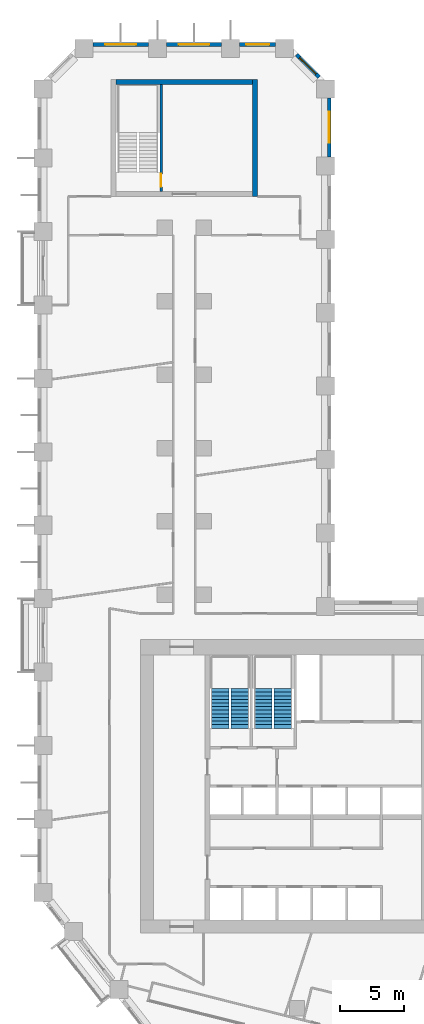
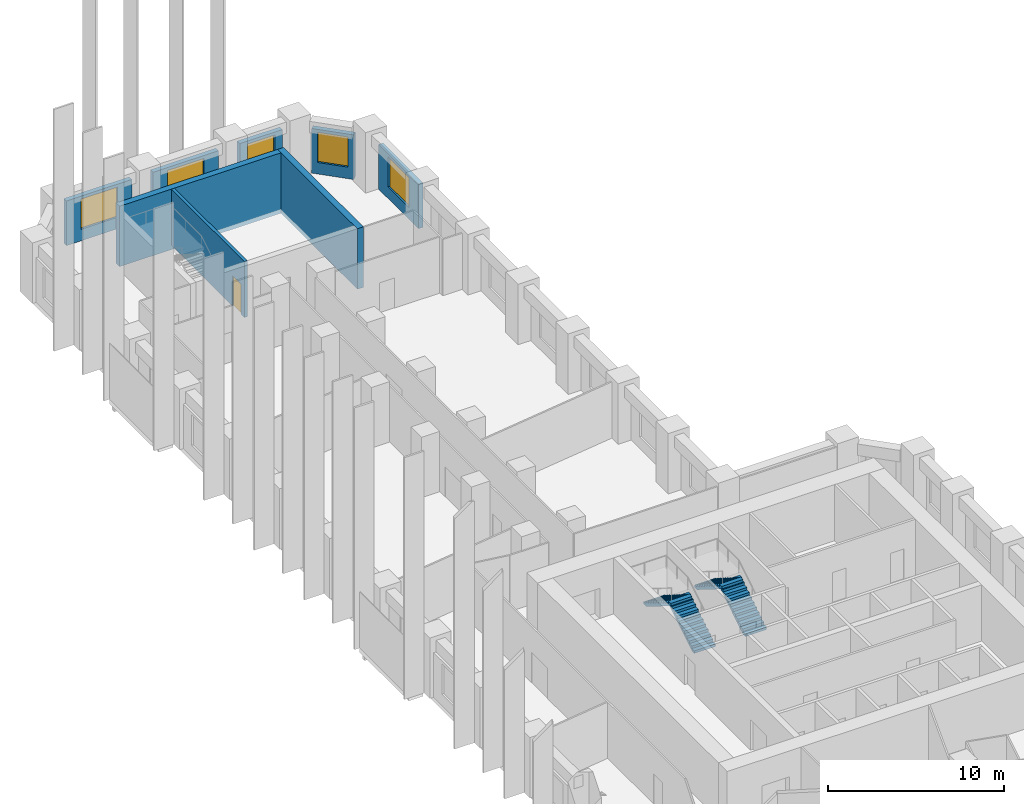
# One storey, part 10 of 12: 8 walls, 5 windows, 4 stair flights, 1 door, 6 openings, 2 elements without a shape of their own.
"""IFC4 building model written with IfcOpenShell, lengths in metres."""

import ifcopenshell
import ifcopenshell.guid

model = None  # the IFC model being written
_history = None  # IfcOwnerHistory: only IFC2X3 demands one
_inside = {}  # id of a spatial element -> (the spatial element, [elements in it])
_under = {}  # id of a project, library or spatial element -> (it, [spatial elements below it])
_declared = {}  # id of a project -> (the project, [libraries it declares])
_typed = {}  # id of a type object -> (the type object, [elements of that type])
_made_of = {}  # id of a material, layer set ... -> (it, [elements and type objects made of it])


def new_model(schema):
    """Start an empty IFC model of exactly this schema.

    Asked for "IFC4X3", IfcOpenShell would pick the latest addendum, in which some entities
    have other attributes; the version numbers below select the first issue.
    IFC2X3 requires an IfcOwnerHistory on every rooted entity: one is made here for all.
    """
    global model, _history
    if schema == "IFC4X3":
        model = ifcopenshell.file(schema_version=(4, 3, 0, 0))
    else:
        model = ifcopenshell.file(schema=schema)
    _inside.clear()
    _under.clear()
    _declared.clear()
    _typed.clear()
    _made_of.clear()
    _history = None
    if model.schema == "IFC2X3":
        org = make("IfcOrganization", Name="unknown")
        user = make(
            "IfcPersonAndOrganization",
            ThePerson=make("IfcPerson", FamilyName="unknown"),
            TheOrganization=org,
        )
        app = make(
            "IfcApplication",
            ApplicationDeveloper=org,
            Version="unknown",
            ApplicationFullName="unknown",
            ApplicationIdentifier="unknown",
        )
        _history = make(
            "IfcOwnerHistory",
            OwningUser=user,
            OwningApplication=app,
            ChangeAction="ADDED",
            CreationDate=0,
        )
    return model


def make(cls, **values):
    """One entity of the class cls with the attributes given. An attribute that is None is left unset."""
    return model.create_entity(
        cls, **{name: value for name, value in values.items() if value is not None}
    )


def rooted(cls, **values):
    """An entity with a GlobalId (a new one), such as an element, a storey or a relation."""
    return make(cls, GlobalId=ifcopenshell.guid.new(), OwnerHistory=_history, **values)


def si_unit(unit_type, name, prefix=None):
    """IfcSIUnit, for example si_unit("LENGTHUNIT", "METRE", prefix="MILLI")."""
    return make("IfcSIUnit", UnitType=unit_type, Prefix=prefix, Name=name)


def assignment(units):
    """IfcUnitAssignment: the units of a project."""
    return None if units is None else make("IfcUnitAssignment", Units=units)


def point(xyz):
    """IfcCartesianPoint."""
    return None if xyz is None else make("IfcCartesianPoint", Coordinates=xyz)


def direction(xyz):
    """IfcDirection."""
    return None if xyz is None else make("IfcDirection", DirectionRatios=xyz)


def frame(location, z_axis=None, x_axis=None):
    """IfcAxis2Placement3D, a coordinate frame: its origin and axes. An axis left out is left unset."""
    return make(
        "IfcAxis2Placement3D",
        Location=point(location),
        Axis=direction(z_axis),
        RefDirection=direction(x_axis),
    )


def frame_2d(location, x_axis=None):
    """IfcAxis2Placement2D, a coordinate frame in the plane: its origin and x axis."""
    return make(
        "IfcAxis2Placement2D", Location=point(location), RefDirection=direction(x_axis)
    )


def origin():
    """The frame at (0, 0, 0) with its axes left unset."""
    return frame((0.0, 0.0, 0.0))


def place(relative_to, where):
    """IfcLocalPlacement: puts the frame where relative to a parent placement (None: the world)."""
    return make(
        "IfcLocalPlacement", PlacementRelTo=relative_to, RelativePlacement=where
    )


def context(
    kind, dimensions, precision=None, world=None, true_north=None, identifier=None
):
    """IfcGeometricRepresentationContext, for example the 3D "Model" context."""
    return make(
        "IfcGeometricRepresentationContext",
        ContextIdentifier=identifier,
        ContextType=kind,
        CoordinateSpaceDimension=dimensions,
        Precision=precision,
        WorldCoordinateSystem=world,
        TrueNorth=true_north,
    )


def subcontext(parent, identifier, kind, view, scale=None):
    """IfcGeometricRepresentationSubContext, for example "Body" below "Model"."""
    return make(
        "IfcGeometricRepresentationSubContext",
        ContextIdentifier=identifier,
        ContextType=kind,
        ParentContext=parent,
        TargetScale=scale,
        TargetView=view,
    )


def project(units=None, contexts=None):
    """IfcProject with its units and contexts."""
    return rooted(
        "IfcProject",
        Name="project",
        RepresentationContexts=contexts,
        UnitsInContext=assignment(units),
    )


def spatial(cls, under=None, at=None, **own):
    """A site, building, storey or space (cls), placed at a placement, below another one or the project."""
    s = rooted(cls, ObjectPlacement=at, **own)
    if under is not None:
        _under.setdefault(under.id(), (under, []))[1].append(s)
    return s


def polyline(points):
    """IfcPolyline through the points."""
    return make("IfcPolyline", Points=[point(p) for p in points])


def profile(cls, at=None, kind="AREA", **sizes):
    """A parametric profile (cls). Its sizes go by their IFC names, for example OverallWidth=200.0."""
    return make(cls, ProfileType=kind, Position=at, **sizes)


def rectangle(**sizes):
    """IfcRectangleProfileDef."""
    return profile("IfcRectangleProfileDef", **sizes)


def outline(outer, holes=None, kind="AREA"):
    """IfcArbitraryClosedProfileDef: a profile drawn as a closed curve; with holes, ...WithVoids."""
    if holes is None:
        return make("IfcArbitraryClosedProfileDef", ProfileType=kind, OuterCurve=outer)
    return make(
        "IfcArbitraryProfileDefWithVoids",
        ProfileType=kind,
        OuterCurve=outer,
        InnerCurves=holes,
    )


def extrude(swept, where, along, depth):
    """IfcExtrudedAreaSolid: the profile swept, set in the frame where, extruded along a direction by depth."""
    return make(
        "IfcExtrudedAreaSolid",
        SweptArea=swept,
        Position=where,
        ExtrudedDirection=direction(along),
        Depth=depth,
    )


def shape(context_of_items, identifier, shape_type, items):
    """IfcShapeRepresentation: the items that make up one representation, for example the "Body"."""
    return make(
        "IfcShapeRepresentation",
        ContextOfItems=context_of_items,
        RepresentationIdentifier=identifier,
        RepresentationType=shape_type,
        Items=items,
    )


def material(Name=None, Category=None):
    """IfcMaterial."""
    return make("IfcMaterial", Name=Name, Category=Category)


def layer(
    of_material, thickness, ventilated=None, Name=None, Category=None, Priority=None
):
    """IfcMaterialLayer: one layer of a wall or slab, of a material (None: an air gap)."""
    return make(
        "IfcMaterialLayer",
        Material=of_material,
        LayerThickness=thickness,
        IsVentilated=ventilated,
        Name=Name,
        Category=Category,
        Priority=Priority,
    )


def layer_set(layers, Name=None):
    """IfcMaterialLayerSet."""
    return make("IfcMaterialLayerSet", MaterialLayers=layers, LayerSetName=Name)


def made_of(thing, what):
    """Note that an element or type object is made of a material, layer set ...; save() writes the relation."""
    if what is not None:
        _made_of.setdefault(what.id(), (what, []))[1].append(thing)
    return thing


def type_object(cls, material=None, **own):
    """A type object (cls), such as IfcWallType, which elements share."""
    return made_of(rooted(cls, **own), material)


def element(
    cls,
    number,
    at=None,
    inside=None,
    cuts=None,
    type_object=None,
    material=None,
    context=None,
    identifier="Body",
    shape_type=None,
    held_by="IfcProductDefinitionShape",
    body=None,
    shapes=None,
    **own,
):
    """One element of the class cls, such as IfcWall. Its Tag is "e" and its number.

    at: its placement. inside: the storey or other place that contains it. cuts: it is an
    opening in that element (IfcRelVoidsElement). A single representation is given by context,
    identifier, shape_type and body (its items); several are given by shapes. held_by: the class
    of the entity that holds the representations. save() writes the other relations.
    """
    e = rooted(cls, Tag="e%d" % number, ObjectPlacement=at, **own)
    if body is not None:
        shapes = [shape(context, identifier, shape_type, body)]
    if shapes is not None:
        e.Representation = make(held_by, Representations=shapes)
    if inside is not None:
        _inside.setdefault(inside.id(), (inside, []))[1].append(e)
    if cuts is not None:
        rooted(
            "IfcRelVoidsElement", RelatingBuildingElement=cuts, RelatedOpeningElement=e
        )
    if type_object is not None:
        _typed.setdefault(type_object.id(), (type_object, []))[1].append(e)
    return made_of(e, material)


def fill(opening, filler):
    """IfcRelFillsElement: the door or window that sits in an opening."""
    return rooted(
        "IfcRelFillsElement",
        RelatingOpeningElement=opening,
        RelatedBuildingElement=filler,
    )


def aggregate(whole, parts):
    """IfcRelAggregates: a whole, such as a stair, and the parts it consists of."""
    return rooted("IfcRelAggregates", RelatingObject=whole, RelatedObjects=parts)


def save(model, path):
    """Write the relations noted so far, then the file.

    IfcRelAggregates (storeys below a building ...), IfcRelContainedInSpatialStructure (elements
    in a storey), IfcRelDefinesByType, IfcRelAssociatesMaterial and IfcRelDeclares: one each for
    every whole, place, type object, material and project.
    """
    for whole, parts in _under.values():
        aggregate(whole, parts)
    for where, things in _inside.values():
        rooted(
            "IfcRelContainedInSpatialStructure",
            RelatedElements=things,
            RelatingStructure=where,
        )
    for kind, things in _typed.values():
        rooted("IfcRelDefinesByType", RelatedObjects=things, RelatingType=kind)
    for what, things in _made_of.values():
        rooted("IfcRelAssociatesMaterial", RelatedObjects=things, RelatingMaterial=what)
    for by, libraries in _declared.values():
        rooted("IfcRelDeclares", RelatingContext=by, RelatedDefinitions=libraries)
    model.write(path)


model = new_model("IFC4")

# Units and contexts
model_context = context("Model", 3, precision=1e-05, world=origin(), true_north=direction((0.0, 1.0)))
body_context = subcontext(model_context, "Body", "Model", "MODEL_VIEW")
ifc_project = project(units=[si_unit("LENGTHUNIT", "METRE"), si_unit("AREAUNIT", "SQUARE_METRE"), si_unit("VOLUMEUNIT", "CUBIC_METRE"), si_unit("PLANEANGLEUNIT", "RADIAN"), si_unit("MASSUNIT", "GRAM", prefix="KILO")], contexts=[model_context])

# Site, building, storey
site_placement = place(None, origin())
site = spatial("IfcSite", under=ifc_project, at=site_placement, CompositionType="ELEMENT")
building_placement = place(site_placement, origin())
building = spatial("IfcBuilding", under=site, at=building_placement, Name="Meshkara Civic Tower", CompositionType="ELEMENT")
storey_placement = place(building_placement, frame((0.0, 0.0, 66.60009765625)))
storey = spatial("IfcBuildingStorey", under=building, at=storey_placement, Name="L14", CompositionType="ELEMENT", Elevation=66.60009765625)

# Wall, opening, window
ifc_material_1 = material(Name="Insulated infill panel with bronze anodised aluminium cladding", Category="aluminium")
ifc_layer_1 = layer(ifc_material_1, 0.300048828125)
ifc_layer_set_1 = layer_set([ifc_layer_1], Name="EXTERNAL INFILL WALL 300")
wall_type_1 = type_object("IfcWallType", Name="EXTERNAL INFILL WALL 300", PredefinedType="SOLIDWALL", material=ifc_layer_set_1)
wall_1_placement = place(storey_placement, frame((22.64990234375, 74.35009765625, 0.0), z_axis=(0.0, 0.0, 1.0), x_axis=(0.0, 1.0, 0.0)))
wall_1 = element("IfcWall", 1, at=wall_1_placement, inside=storey, type_object=wall_type_1, Name="External wall", PredefinedType="SOLIDWALL", context=body_context, shape_type="SweptSolid", body=[
    extrude(rectangle(XDim=4.56396484375, YDim=0.300048828125, at=frame_2d((2.281982421875, 0.0))), origin(), (0.0, 0.0, 1.0), 3.099853515625),
])
opening_1_placement = place(wall_1_placement, frame((1.08203125, 0.0, 0.800048828125)))
opening_1 = element("IfcOpeningElement", 2, at=opening_1_placement, cuts=wall_1, Name="Opening W7", PredefinedType="OPENING", context=body_context, shape_type="SweptSolid", body=[
    extrude(rectangle(XDim=2.39990234375, YDim=2.10009765625, at=frame_2d((1.199951171875, 1.050048828125))), frame((0.0, 0.159912109375, 0.0), z_axis=(0.0, -1.0, 0.0), x_axis=(1.0, 0.0, 0.0)), (0.0, 0.0, 1.0), 0.320068359375),
])
ifc_material_2 = material(Name="Tinted double glazing", Category="glass")
window_type_1 = type_object("IfcWindowType", Name="WINDOW 2400x2100", PartitioningType="DOUBLE_PANEL_VERTICAL", PredefinedType="WINDOW", material=ifc_material_2)
window_1_placement = place(opening_1_placement, origin())
window_1 = element("IfcWindow", 3, at=window_1_placement, inside=storey, type_object=window_type_1, Name="Window", OverallHeight=2.10009765625, OverallWidth=2.39990234375, PartitioningType="DOUBLE_PANEL_VERTICAL", PredefinedType="WINDOW", context=body_context, shape_type="SweptSolid", body=[
    extrude(rectangle(XDim=2.39990234375, YDim=2.10009765625, at=frame_2d((1.199951171875, 1.050048828125))), frame((0.0, 0.030029296875, 0.0), z_axis=(0.0, -1.0, 0.0), x_axis=(1.0, 0.0, 0.0)), (0.0, 0.0, 1.0), 0.06005859375),
])
fill(opening_1, window_1)

wall_2_placement = place(storey_placement, frame((21.862060546875, 80.52587890625, 0.0), z_axis=(0.0, 0.0, 1.0), x_axis=(-0.707106781187, 0.707106781187, 0.0)))
wall_2 = element("IfcWall", 4, at=wall_2_placement, inside=storey, type_object=wall_type_1, Name="External wall", PredefinedType="SOLIDWALL", context=body_context, shape_type="SweptSolid", body=[
    extrude(rectangle(XDim=2.4833984375, YDim=0.300048828125, at=frame_2d((1.24169921875, 0.0))), origin(), (0.0, 0.0, 1.0), 3.099853515625),
])
opening_2_placement = place(wall_2_placement, frame((0.342041015625, 0.0, 0.800048828125)))
opening_2 = element("IfcOpeningElement", 5, at=opening_2_placement, cuts=wall_2, Name="Opening W9", PredefinedType="OPENING", context=body_context, shape_type="SweptSolid", body=[
    extrude(rectangle(XDim=1.800048828125, YDim=2.10009765625, at=frame_2d((0.89990234375, 1.050048828125))), frame((0.0, 0.159912109375, 0.0), z_axis=(0.0, -1.0, 0.0), x_axis=(1.0, 0.0, 0.0)), (0.0, 0.0, 1.0), 0.320068359375),
])
ifc_material_3 = material(Name="Tinted double glazing", Category="glass")
window_type_2 = type_object("IfcWindowType", Name="WINDOW 1800x2100", PartitioningType="DOUBLE_PANEL_VERTICAL", PredefinedType="WINDOW", material=ifc_material_3)
window_2_placement = place(opening_2_placement, origin())
window_2 = element("IfcWindow", 6, at=window_2_placement, inside=storey, type_object=window_type_2, Name="Window", OverallHeight=2.10009765625, OverallWidth=1.800048828125, PartitioningType="DOUBLE_PANEL_VERTICAL", PredefinedType="WINDOW", context=body_context, shape_type="SweptSolid", body=[
    extrude(rectangle(XDim=1.800048828125, YDim=2.10009765625, at=frame_2d((0.89990234375, 1.050048828125))), frame((0.0, 0.030029296875, 0.0), z_axis=(0.0, -1.0, 0.0), x_axis=(1.0, 0.0, 0.0)), (0.0, 0.0, 1.0), 0.06005859375),
])
fill(opening_2, window_2)

wall_3_placement = place(storey_placement, frame((18.493896484375, 83.070068359375, 0.0), z_axis=(0.0, 0.0, 1.0), x_axis=(-1.0, 0.0, 0.0)))
wall_3 = element("IfcWall", 7, at=wall_3_placement, inside=storey, type_object=wall_type_1, Name="External wall", PredefinedType="SOLIDWALL", context=body_context, shape_type="SweptSolid", body=[
    extrude(rectangle(XDim=2.787841796875, YDim=0.300048828125, at=frame_2d((1.39404296875, 0.0))), origin(), (0.0, 0.0, 1.0), 3.099853515625),
])
opening_3_placement = place(wall_3_placement, frame((0.493896484375, 0.0, 0.800048828125)))
opening_3 = element("IfcOpeningElement", 8, at=opening_3_placement, cuts=wall_3, Name="Opening W9", PredefinedType="OPENING", context=body_context, shape_type="SweptSolid", body=[
    extrude(rectangle(XDim=1.800048828125, YDim=2.10009765625, at=frame_2d((0.89990234375, 1.050048828125))), frame((0.0, 0.159912109375, 0.0), z_axis=(0.0, -1.0, 0.0), x_axis=(1.0, 0.0, 0.0)), (0.0, 0.0, 1.0), 0.320068359375),
])
window_3_placement = place(opening_3_placement, origin())
window_3 = element("IfcWindow", 9, at=window_3_placement, inside=storey, type_object=window_type_2, Name="Window", OverallHeight=2.10009765625, OverallWidth=1.800048828125, PartitioningType="DOUBLE_PANEL_VERTICAL", PredefinedType="WINDOW", context=body_context, shape_type="SweptSolid", body=[
    extrude(rectangle(XDim=1.800048828125, YDim=2.10009765625, at=frame_2d((0.89990234375, 1.050048828125))), frame((0.0, 0.030029296875, 0.0), z_axis=(0.0, -1.0, 0.0), x_axis=(1.0, 0.0, 0.0)), (0.0, 0.0, 1.0), 0.06005859375),
])
fill(opening_3, window_3)

wall_4_placement = place(storey_placement, frame((14.305908203125, 83.070068359375, 0.0), z_axis=(0.0, 0.0, 1.0), x_axis=(-1.0, 0.0, 0.0)))
wall_4 = element("IfcWall", 10, at=wall_4_placement, inside=storey, type_object=wall_type_1, Name="External wall", PredefinedType="SOLIDWALL", context=body_context, shape_type="SweptSolid", body=[
    extrude(rectangle(XDim=4.2998046875, YDim=0.300048828125, at=frame_2d((2.14990234375, 0.0))), origin(), (0.0, 0.0, 1.0), 3.099853515625),
])
opening_4_placement = place(wall_4_placement, frame((0.949951171875, 0.0, 0.800048828125)))
opening_4 = element("IfcOpeningElement", 11, at=opening_4_placement, cuts=wall_4, Name="Opening W7", PredefinedType="OPENING", context=body_context, shape_type="SweptSolid", body=[
    extrude(rectangle(XDim=2.39990234375, YDim=2.10009765625, at=frame_2d((1.199951171875, 1.050048828125))), frame((0.0, 0.159912109375, 0.0), z_axis=(0.0, -1.0, 0.0), x_axis=(1.0, 0.0, 0.0)), (0.0, 0.0, 1.0), 0.320068359375),
])
window_4_placement = place(opening_4_placement, origin())
window_4 = element("IfcWindow", 12, at=window_4_placement, inside=storey, type_object=window_type_1, Name="Window", OverallHeight=2.10009765625, OverallWidth=2.39990234375, PartitioningType="DOUBLE_PANEL_VERTICAL", PredefinedType="WINDOW", context=body_context, shape_type="SweptSolid", body=[
    extrude(rectangle(XDim=2.39990234375, YDim=2.10009765625, at=frame_2d((1.199951171875, 1.050048828125))), frame((0.0, 0.030029296875, 0.0), z_axis=(0.0, -1.0, 0.0), x_axis=(1.0, 0.0, 0.0)), (0.0, 0.0, 1.0), 0.06005859375),
])
fill(opening_4, window_4)

wall_5_placement = place(storey_placement, frame((8.60595703125, 83.070068359375, 0.0), z_axis=(0.0, 0.0, 1.0), x_axis=(-1.0, 0.0, 0.0)))
wall_5 = element("IfcWall", 13, at=wall_5_placement, inside=storey, type_object=wall_type_1, Name="External wall", PredefinedType="SOLIDWALL", context=body_context, shape_type="SweptSolid", body=[
    extrude(rectangle(XDim=4.300048828125, YDim=0.300048828125, at=frame_2d((2.14990234375, 0.0))), origin(), (0.0, 0.0, 1.0), 3.099853515625),
])
opening_5_placement = place(wall_5_placement, frame((0.949951171875, 0.0, 0.800048828125)))
opening_5 = element("IfcOpeningElement", 14, at=opening_5_placement, cuts=wall_5, Name="Opening W7", PredefinedType="OPENING", context=body_context, shape_type="SweptSolid", body=[
    extrude(rectangle(XDim=2.39990234375, YDim=2.10009765625, at=frame_2d((1.199951171875, 1.050048828125))), frame((0.0, 0.159912109375, 0.0), z_axis=(0.0, -1.0, 0.0), x_axis=(1.0, 0.0, 0.0)), (0.0, 0.0, 1.0), 0.320068359375),
])
window_5_placement = place(opening_5_placement, origin())
window_5 = element("IfcWindow", 15, at=window_5_placement, inside=storey, type_object=window_type_1, Name="Window", OverallHeight=2.10009765625, OverallWidth=2.39990234375, PartitioningType="DOUBLE_PANEL_VERTICAL", PredefinedType="WINDOW", context=body_context, shape_type="SweptSolid", body=[
    extrude(rectangle(XDim=2.39990234375, YDim=2.10009765625, at=frame_2d((1.199951171875, 1.050048828125))), frame((0.0, 0.030029296875, 0.0), z_axis=(0.0, -1.0, 0.0), x_axis=(1.0, 0.0, 0.0)), (0.0, 0.0, 1.0), 0.06005859375),
])
fill(opening_5, window_5)

# Walls
ifc_material_4 = material(Name="Concrete C80", Category="concrete")
ifc_layer_2 = layer(ifc_material_4, 0.39990234375)
ifc_layer_set_2 = layer_set([ifc_layer_2], Name="End core ring wall 400 C80")
wall_type_2 = type_object("IfcWallType", Name="End core ring wall 400 C80", PredefinedType="SHEAR", material=ifc_layer_set_2)
wall_6_placement = place(storey_placement, frame((16.89990234375, 71.27001953125, -0.300048828125), z_axis=(0.0, 0.0, 1.0), x_axis=(0.0, 1.0, 0.0)))
element("IfcWall", 16, at=wall_6_placement, inside=storey, type_object=wall_type_2, Name="L14-C027", PredefinedType="SHEAR", context=body_context, shape_type="SweptSolid", body=[
    extrude(rectangle(XDim=9.10009765625, YDim=0.39990234375, at=frame_2d((4.550048828125, 0.0))), origin(), (0.0, 0.0, 1.0), 4.199951171875),
])
wall_7_placement = place(storey_placement, frame((6.10009765625, 80.169921875, -0.300048828125), z_axis=(0.0, 0.0, 1.0), x_axis=(1.0, 0.0, 0.0)))
element("IfcWall", 17, at=wall_7_placement, inside=storey, type_object=wall_type_2, Name="L14-C029", PredefinedType="SHEAR", context=body_context, shape_type="SweptSolid", body=[
    extrude(rectangle(XDim=10.599853515625, YDim=0.39990234375, at=frame_2d((5.2998046875, 0.0))), origin(), (0.0, 0.0, 1.0), 4.199951171875),
])

# Wall, opening, door
ifc_material_5 = material(Name="Concrete C40/50", Category="concrete")
ifc_layer_3 = layer(ifc_material_5, 0.199951171875)
ifc_layer_set_3 = layer_set([ifc_layer_3], Name="Stair enclosure wall 200 C40/50")
wall_type_3 = type_object("IfcWallType", Name="Stair enclosure wall 200 C40/50", PredefinedType="SOLIDWALL", material=ifc_layer_set_3)
wall_8_placement = place(storey_placement, frame((9.60009765625, 71.669921875, 0.0), z_axis=(0.0, 0.0, 1.0), x_axis=(0.0, 1.0, 0.0)))
wall_8 = element("IfcWall", 18, at=wall_8_placement, inside=storey, type_object=wall_type_3, Name="L14-C030", PredefinedType="SOLIDWALL", context=body_context, shape_type="SweptSolid", body=[
    extrude(rectangle(XDim=8.300048828125, YDim=0.199951171875, at=frame_2d((4.14990234375, 0.0))), origin(), (0.0, 0.0, 1.0), 3.89990234375),
])
opening_6_placement = place(wall_8_placement, frame((0.35009765625, 0.0, 0.0)))
opening_6 = element("IfcOpeningElement", 19, at=opening_6_placement, cuts=wall_8, Name="Opening L14-K101", PredefinedType="OPENING", context=body_context, shape_type="SweptSolid", body=[
    extrude(rectangle(XDim=1.0, YDim=2.10009765625, at=frame_2d((0.5, 1.050048828125))), frame((0.0, 0.10986328125, 0.0), z_axis=(0.0, -1.0, 0.0), x_axis=(1.0, 0.0, 0.0)), (0.0, 0.0, 1.0), 0.219970703125),
])
ifc_material_6 = material(Name="Fire-rated door leaf in steel frame", Category="steel")
door_type = type_object("IfcDoorType", Name="Stair door 1000 EI 120", OperationType="SINGLE_SWING_LEFT", PredefinedType="DOOR", material=ifc_material_6)
door_placement = place(opening_6_placement, origin())
door = element("IfcDoor", 20, at=door_placement, inside=storey, type_object=door_type, Name="L14-K101", OperationType="SINGLE_SWING_RIGHT", OverallHeight=2.10009765625, OverallWidth=1.0, PredefinedType="DOOR", context=body_context, shape_type="SweptSolid", body=[
    extrude(rectangle(XDim=1.0, YDim=2.10009765625, at=frame_2d((0.5, 1.050048828125))), frame((0.0, 0.02490234375, 0.0), z_axis=(0.0, -1.0, 0.0), x_axis=(1.0, 0.0, 0.0)), (0.0, 0.0, 1.0), 0.050048828125),
])
fill(opening_6, door)

# Stair, stair flights
ifc_material_7 = material(Name="Precast concrete C40/50", Category="concrete")
stair_type = type_object("IfcStairType", Name="Exit stair half-turn 24 risers precast", PredefinedType="HALF_TURN_STAIR", material=ifc_material_7)
stair_1_placement = place(storey_placement, origin())
stair_1 = element("IfcStair", 21, at=stair_1_placement, inside=storey, type_object=stair_type, Name="L14 exit stair 1", PredefinedType="HALF_TURN_STAIR")
ifc_material_8 = material(Name="Precast concrete C40/50", Category="concrete")
stair_flight_type = type_object("IfcStairFlightType", Name="Exit stair flight 12 risers precast", PredefinedType="STRAIGHT", material=ifc_material_8)
stair_flight_1_placement = place(storey_placement, frame((15.72509765625, 30.0, 0.0), z_axis=(0.0, 0.0, 1.0), x_axis=(0.0, 1.0, 0.0)))
stair_flight_1 = element("IfcStairFlight", 22, at=stair_flight_1_placement, type_object=stair_flight_type, Name="ST1 flight 1", NumberOfRisers=12, NumberOfTreads=11, PredefinedType="STRAIGHT", RiserHeight=0.175, TreadLength=0.28, context=body_context, shape_type="SweptSolid", body=[
    extrude(outline(polyline([(0.0, 0.0), (0.0, 0.175048828125), (0.280029296875, 0.175048828125), (0.280029296875, 0.35009765625), (0.56005859375, 0.35009765625), (0.56005859375, 0.52490234375), (0.840087890625, 0.52490234375), (0.840087890625, 0.699951171875), (1.1201171875, 0.699951171875), (1.1201171875, 0.875), (1.39990234375, 0.875), (1.39990234375, 1.050048828125), (1.679931640625, 1.050048828125), (1.679931640625, 1.22509765625), (1.9599609375, 1.22509765625), (1.9599609375, 1.39990234375), (2.239990234375, 1.39990234375), (2.239990234375, 1.574951171875), (2.52001953125, 1.574951171875), (2.52001953125, 1.75), (2.800048828125, 1.75), (2.800048828125, 1.925048828125), (3.080078125, 1.925048828125), (3.080078125, 2.10009765625), (3.080078125, 1.748291015625), (0.28271484375, 0.0), (0.0, 0.0)])), frame((0.0, 0.699951171875, 0.0), z_axis=(0.0, -1.0, 0.0), x_axis=(1.0, 0.0, 0.0)), (0.0, 0.0, 1.0), 1.39990234375),
])
stair_flight_2_placement = place(storey_placement, frame((14.175048828125, 33.080078125, 2.099853515625), z_axis=(0.0, 0.0, 1.0), x_axis=(0.0, -1.0, 0.0)))
stair_flight_2 = element("IfcStairFlight", 23, at=stair_flight_2_placement, type_object=stair_flight_type, Name="ST1 flight 2", NumberOfRisers=12, NumberOfTreads=11, PredefinedType="STRAIGHT", RiserHeight=0.175, TreadLength=0.28, context=body_context, shape_type="SweptSolid", body=[
    extrude(outline(polyline([(0.0, 0.0), (0.0, 0.175048828125), (0.280029296875, 0.175048828125), (0.280029296875, 0.35009765625), (0.56005859375, 0.35009765625), (0.56005859375, 0.52490234375), (0.840087890625, 0.52490234375), (0.840087890625, 0.699951171875), (1.1201171875, 0.699951171875), (1.1201171875, 0.875), (1.39990234375, 0.875), (1.39990234375, 1.050048828125), (1.679931640625, 1.050048828125), (1.679931640625, 1.22509765625), (1.9599609375, 1.22509765625), (1.9599609375, 1.39990234375), (2.239990234375, 1.39990234375), (2.239990234375, 1.574951171875), (2.52001953125, 1.574951171875), (2.52001953125, 1.75), (2.800048828125, 1.75), (2.800048828125, 1.925048828125), (3.080078125, 1.925048828125), (3.080078125, 2.10009765625), (3.080078125, 1.748291015625), (0.28271484375, 0.0), (0.0, 0.0)])), frame((0.0, 0.699951171875, 0.0), z_axis=(0.0, -1.0, 0.0), x_axis=(1.0, 0.0, 0.0)), (0.0, 0.0, 1.0), 1.39990234375),
])
aggregate(stair_1, [stair_flight_1, stair_flight_2])

stair_2_placement = place(storey_placement, origin())
stair_2 = element("IfcStair", 24, at=stair_2_placement, inside=storey, type_object=stair_type, Name="L14 exit stair 2", PredefinedType="HALF_TURN_STAIR")
stair_flight_3_placement = place(storey_placement, frame((19.074951171875, 30.0, 0.0), z_axis=(0.0, 0.0, 1.0), x_axis=(0.0, 1.0, 0.0)))
stair_flight_3 = element("IfcStairFlight", 25, at=stair_flight_3_placement, type_object=stair_flight_type, Name="ST2 flight 1", NumberOfRisers=12, NumberOfTreads=11, PredefinedType="STRAIGHT", RiserHeight=0.175, TreadLength=0.28, context=body_context, shape_type="SweptSolid", body=[
    extrude(outline(polyline([(0.0, 0.0), (0.0, 0.175048828125), (0.280029296875, 0.175048828125), (0.280029296875, 0.35009765625), (0.56005859375, 0.35009765625), (0.56005859375, 0.52490234375), (0.840087890625, 0.52490234375), (0.840087890625, 0.699951171875), (1.1201171875, 0.699951171875), (1.1201171875, 0.875), (1.39990234375, 0.875), (1.39990234375, 1.050048828125), (1.679931640625, 1.050048828125), (1.679931640625, 1.22509765625), (1.9599609375, 1.22509765625), (1.9599609375, 1.39990234375), (2.239990234375, 1.39990234375), (2.239990234375, 1.574951171875), (2.52001953125, 1.574951171875), (2.52001953125, 1.75), (2.800048828125, 1.75), (2.800048828125, 1.925048828125), (3.080078125, 1.925048828125), (3.080078125, 2.10009765625), (3.080078125, 1.748291015625), (0.28271484375, 0.0), (0.0, 0.0)])), frame((0.0, 0.699951171875, 0.0), z_axis=(0.0, -1.0, 0.0), x_axis=(1.0, 0.0, 0.0)), (0.0, 0.0, 1.0), 1.39990234375),
])
stair_flight_4_placement = place(storey_placement, frame((17.52490234375, 33.080078125, 2.099853515625), z_axis=(0.0, 0.0, 1.0), x_axis=(0.0, -1.0, 0.0)))
stair_flight_4 = element("IfcStairFlight", 26, at=stair_flight_4_placement, type_object=stair_flight_type, Name="ST2 flight 2", NumberOfRisers=12, NumberOfTreads=11, PredefinedType="STRAIGHT", RiserHeight=0.175, TreadLength=0.28, context=body_context, shape_type="SweptSolid", body=[
    extrude(outline(polyline([(0.0, 0.0), (0.0, 0.175048828125), (0.280029296875, 0.175048828125), (0.280029296875, 0.35009765625), (0.56005859375, 0.35009765625), (0.56005859375, 0.52490234375), (0.840087890625, 0.52490234375), (0.840087890625, 0.699951171875), (1.1201171875, 0.699951171875), (1.1201171875, 0.875), (1.39990234375, 0.875), (1.39990234375, 1.050048828125), (1.679931640625, 1.050048828125), (1.679931640625, 1.22509765625), (1.9599609375, 1.22509765625), (1.9599609375, 1.39990234375), (2.239990234375, 1.39990234375), (2.239990234375, 1.574951171875), (2.52001953125, 1.574951171875), (2.52001953125, 1.75), (2.800048828125, 1.75), (2.800048828125, 1.925048828125), (3.080078125, 1.925048828125), (3.080078125, 2.10009765625), (3.080078125, 1.748291015625), (0.28271484375, 0.0), (0.0, 0.0)])), frame((0.0, 0.699951171875, 0.0), z_axis=(0.0, -1.0, 0.0), x_axis=(1.0, 0.0, 0.0)), (0.0, 0.0, 1.0), 1.39990234375),
])
aggregate(stair_2, [stair_flight_3, stair_flight_4])

save(model, "model.ifc")
